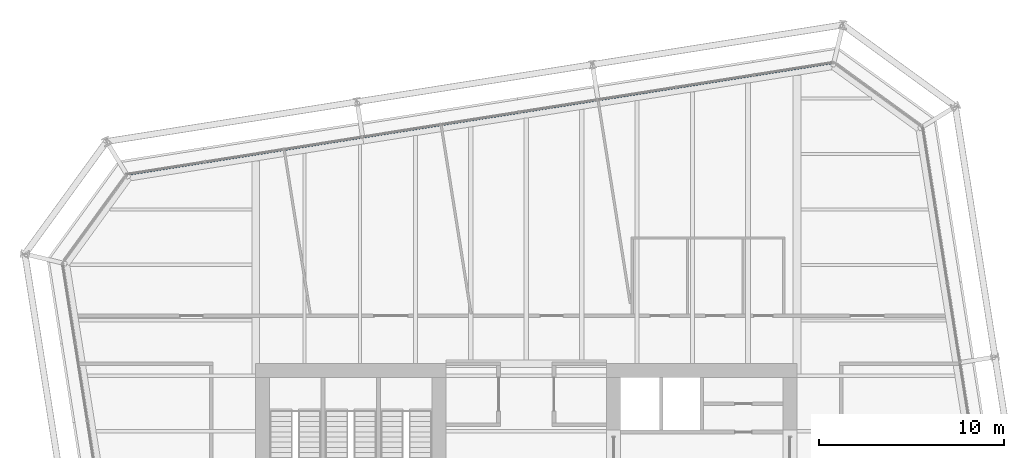
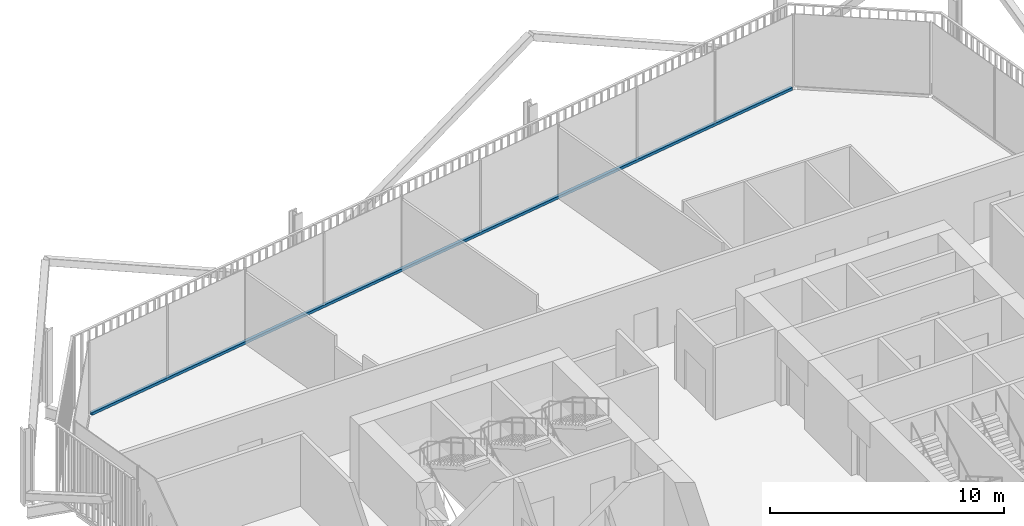
# One storey, part 12 of 22: 1 member, 1 element without a shape of its own.
"""IFC4 building model written with IfcOpenShell, lengths in metres."""

from ifc_helpers import new_model, si_unit, direction, frame, origin, origin_2d, place, context, subcontext, project, spatial, rectangle, extrude, material, layer, layer_set, material_profile, profile_set, type_object, element, aggregate, save


model = new_model("IFC4")

# Units and contexts
model_context = context("Model", 3, precision=1e-05, world=origin(), true_north=direction((0.0, 1.0)))
body_context = subcontext(model_context, "Body", "Model", "MODEL_VIEW")
ifc_project = project(units=[si_unit("LENGTHUNIT", "METRE"), si_unit("AREAUNIT", "SQUARE_METRE"), si_unit("VOLUMEUNIT", "CUBIC_METRE"), si_unit("PLANEANGLEUNIT", "RADIAN"), si_unit("MASSUNIT", "GRAM", prefix="KILO")], contexts=[model_context])

# Site, building, storey
site_placement = place(None, origin())
site = spatial("IfcSite", under=ifc_project, at=site_placement, CompositionType="ELEMENT")
building_placement = place(site_placement, origin())
building = spatial("IfcBuilding", under=site, at=building_placement, Name="Millrace Tower", CompositionType="ELEMENT")
storey_placement = place(building_placement, frame((0.0, 0.0, 152.89990234375)))
storey = spatial("IfcBuildingStorey", under=building, at=storey_placement, Name="L34", CompositionType="ELEMENT", Elevation=152.89990234375)

# Curtain wall, member
ifc_material_1 = material(Name="Aluminium and glass", Category="aluminium")
ifc_layer = layer(ifc_material_1, 0.14990234375)
ifc_layer_set = layer_set([ifc_layer], Name="Aluminium and glass")
curtain_wall_type = type_object("IfcCurtainWallType", Name="CW-1 office vision curtain wall", PredefinedType="NOTDEFINED", material=ifc_layer_set)
curtain_wall_placement = place(storey_placement, origin())
curtain_wall = element("IfcCurtainWall", 1, at=curtain_wall_placement, inside=storey, type_object=curtain_wall_type, Name="Curtain wall C-F06 L34", PredefinedType="NOTDEFINED")
ifc_material_2 = material(Name="Aluminium", Category="aluminium")
ifc_material_profile = material_profile(ifc_material_2, rectangle(XDim=0.14990234375, YDim=0.139892578125, at=origin_2d()))
ifc_profile_set = profile_set([ifc_material_profile], Name="Aluminium")
member_type = type_object("IfcMemberType", Name="CW-1 office vision curtain wall transom", PredefinedType="USERDEFINED", material=ifc_profile_set)
member_placement = place(storey_placement, frame((16.525146484375, 25.946044921875, 0.070068359375), z_axis=(-0.987688505691, -0.156433422663, 0.0), x_axis=(0.156433422663, -0.987688505691, 0.0)))
member = element("IfcMember", 2, at=member_placement, type_object=member_type, Name="CW1 transom C-F06.1", ObjectType="TRANSOM", PredefinedType="USERDEFINED", context=body_context, shape_type="SweptSolid", body=[
    extrude(rectangle(XDim=0.14990234375, YDim=0.139892578125, at=origin_2d()), origin(), (0.0, 0.0, 1.0), 38.5),
])
aggregate(curtain_wall, [member])

save(model, "model.ifc")
